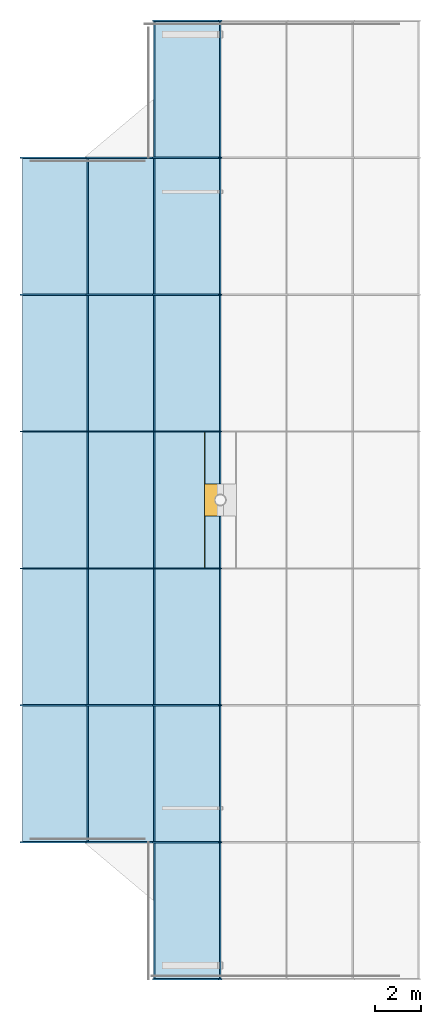
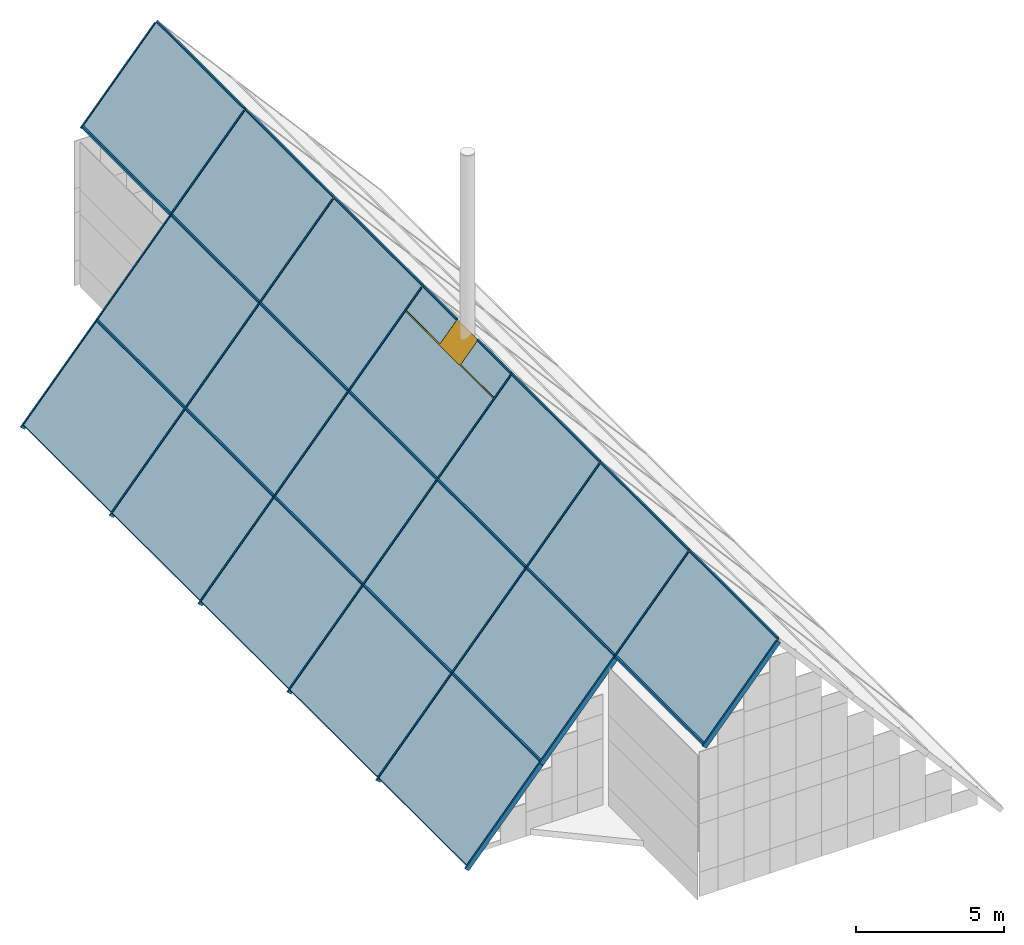
# One storey, part 2 of 5: 40 members, 19 plates, 1 curtain wall.
"""IFC4 building model written with IfcOpenShell, lengths in metres."""

from ifc_helpers import new_model, si_unit, direction, frame, origin, origin_2d, place, context, subcontext, project, spatial, polyline, hollow_rectangle, outline, extrude, source, transform, mapped, material, layer, layer_set, material_profile, profile_set, type_object, element, aggregate, save


model = new_model("IFC4")

# Units and contexts
model_context = context("Model", 3, precision=1e-05, world=origin(), true_north=direction((0.0, 1.0)))
body_context = subcontext(model_context, "Body", "Model", "MODEL_VIEW")
ifc_project = project(units=[si_unit("LENGTHUNIT", "METRE"), si_unit("AREAUNIT", "SQUARE_METRE"), si_unit("VOLUMEUNIT", "CUBIC_METRE"), si_unit("PLANEANGLEUNIT", "RADIAN"), si_unit("MASSUNIT", "GRAM", prefix="KILO")], contexts=[model_context])

# Member
ifc_material_1 = material(Name="Aluminium", Category="aluminium")
ifc_material_profile_1 = material_profile(ifc_material_1, hollow_rectangle(XDim=0.06005859375, YDim=0.1201171875, WallThickness=0.0048828125, at=origin_2d()), Name="Crown roof glazing purlin CR-CW-T")
ifc_profile_set_1 = profile_set([ifc_material_profile_1], Name="Aluminium")
member_type_1 = type_object("IfcMemberType", Name="Crown roof glazing purlin CR-CW-T", PredefinedType="USERDEFINED", material=ifc_profile_set_1)
shared_shape_1 = source(origin(), body_context, "Body", "SweptSolid", [
    extrude(hollow_rectangle(XDim=0.06005859375, YDim=0.1201171875, WallThickness=0.0048828125, at=origin_2d()), origin(), (0.0, 0.0, 1.0), 5.93994140625),
])
site_placement = place(None, origin())
building_placement = place(site_placement, origin())
storey_placement = place(building_placement, frame((0.0, 0.0, 357.199951171875)))
member_1_placement = place(storey_placement, frame((9.5, 12.030029296875, 2.985107421875), z_axis=(0.0, 1.0, 0.0), x_axis=(-1.0, 0.0, 0.0)))
member_1 = element("IfcMember", 1, at=member_1_placement, type_object=member_type_1, Name="Crown glazing purlin", ObjectType="TRANSOM", PredefinedType="USERDEFINED", context=body_context, shape_type="MappedRepresentation", body=[
    mapped(shared_shape_1, transform((0.0, 0.0, 0.0))),
])

member_2_placement = place(storey_placement, frame((9.5, 18.030029296875, 2.985107421875), z_axis=(0.0, 1.0, 0.0), x_axis=(-1.0, 0.0, 0.0)))
member_2 = element("IfcMember", 2, at=member_2_placement, type_object=member_type_1, Name="Crown glazing purlin", ObjectType="TRANSOM", PredefinedType="USERDEFINED", context=body_context, shape_type="MappedRepresentation", body=[
    mapped(shared_shape_1, transform((0.0, 0.0, 0.0))),
])

member_3_placement = place(storey_placement, frame((9.5, 24.030029296875, 2.985107421875), z_axis=(0.0, 1.0, 0.0), x_axis=(-1.0, 0.0, 0.0)))
member_3 = element("IfcMember", 3, at=member_3_placement, type_object=member_type_1, Name="Crown glazing purlin", ObjectType="TRANSOM", PredefinedType="USERDEFINED", context=body_context, shape_type="MappedRepresentation", body=[
    mapped(shared_shape_1, transform((0.0, 0.0, 0.0))),
])

member_4_placement = place(storey_placement, frame((9.5, 30.030029296875, 2.985107421875), z_axis=(0.0, 1.0, 0.0), x_axis=(-1.0, 0.0, 0.0)))
member_4 = element("IfcMember", 4, at=member_4_placement, type_object=member_type_1, Name="Crown glazing purlin", ObjectType="TRANSOM", PredefinedType="USERDEFINED", context=body_context, shape_type="MappedRepresentation", body=[
    mapped(shared_shape_1, transform((0.0, 0.0, 0.0))),
])

member_5_placement = place(storey_placement, frame((9.5, 36.030029296875, 2.985107421875), z_axis=(0.0, 1.0, 0.0), x_axis=(-1.0, 0.0, 0.0)))
member_5 = element("IfcMember", 5, at=member_5_placement, type_object=member_type_1, Name="Crown glazing purlin", ObjectType="TRANSOM", PredefinedType="USERDEFINED", context=body_context, shape_type="MappedRepresentation", body=[
    mapped(shared_shape_1, transform((0.0, 0.0, 0.0))),
])

member_6_placement = place(storey_placement, frame((12.39990234375, 6.030029296875, 6.318603515625), z_axis=(0.0, 1.0, 0.0), x_axis=(-1.0, 0.0, 0.0)))
member_6 = element("IfcMember", 6, at=member_6_placement, type_object=member_type_1, Name="Crown glazing purlin", ObjectType="TRANSOM", PredefinedType="USERDEFINED", context=body_context, shape_type="MappedRepresentation", body=[
    mapped(shared_shape_1, transform((0.0, 0.0, 0.0))),
])

member_7_placement = place(storey_placement, frame((12.39990234375, 12.030029296875, 6.318603515625), z_axis=(0.0, 1.0, 0.0), x_axis=(-1.0, 0.0, 0.0)))
member_7 = element("IfcMember", 7, at=member_7_placement, type_object=member_type_1, Name="Crown glazing purlin", ObjectType="TRANSOM", PredefinedType="USERDEFINED", context=body_context, shape_type="MappedRepresentation", body=[
    mapped(shared_shape_1, transform((0.0, 0.0, 0.0))),
])

member_8_placement = place(storey_placement, frame((12.39990234375, 18.030029296875, 6.318603515625), z_axis=(0.0, 1.0, 0.0), x_axis=(-1.0, 0.0, 0.0)))
member_8 = element("IfcMember", 8, at=member_8_placement, type_object=member_type_1, Name="Crown glazing purlin", ObjectType="TRANSOM", PredefinedType="USERDEFINED", context=body_context, shape_type="MappedRepresentation", body=[
    mapped(shared_shape_1, transform((0.0, 0.0, 0.0))),
])

member_9_placement = place(storey_placement, frame((12.39990234375, 24.030029296875, 6.318603515625), z_axis=(0.0, 1.0, 0.0), x_axis=(-1.0, 0.0, 0.0)))
member_9 = element("IfcMember", 9, at=member_9_placement, type_object=member_type_1, Name="Crown glazing purlin", ObjectType="TRANSOM", PredefinedType="USERDEFINED", context=body_context, shape_type="MappedRepresentation", body=[
    mapped(shared_shape_1, transform((0.0, 0.0, 0.0))),
])

member_10_placement = place(storey_placement, frame((12.39990234375, 30.030029296875, 6.318603515625), z_axis=(0.0, 1.0, 0.0), x_axis=(-1.0, 0.0, 0.0)))
member_10 = element("IfcMember", 10, at=member_10_placement, type_object=member_type_1, Name="Crown glazing purlin", ObjectType="TRANSOM", PredefinedType="USERDEFINED", context=body_context, shape_type="MappedRepresentation", body=[
    mapped(shared_shape_1, transform((0.0, 0.0, 0.0))),
])

member_11_placement = place(storey_placement, frame((12.39990234375, 36.030029296875, 6.318603515625), z_axis=(0.0, 1.0, 0.0), x_axis=(-1.0, 0.0, 0.0)))
member_11 = element("IfcMember", 11, at=member_11_placement, type_object=member_type_1, Name="Crown glazing purlin", ObjectType="TRANSOM", PredefinedType="USERDEFINED", context=body_context, shape_type="MappedRepresentation", body=[
    mapped(shared_shape_1, transform((0.0, 0.0, 0.0))),
])

member_12_placement = place(storey_placement, frame((12.39990234375, 42.030029296875, 6.318603515625), z_axis=(0.0, 1.0, 0.0), x_axis=(-1.0, 0.0, 0.0)))
member_12 = element("IfcMember", 12, at=member_12_placement, type_object=member_type_1, Name="Crown glazing purlin", ObjectType="TRANSOM", PredefinedType="USERDEFINED", context=body_context, shape_type="MappedRepresentation", body=[
    mapped(shared_shape_1, transform((0.0, 0.0, 0.0))),
])

member_13_placement = place(storey_placement, frame((15.300048828125, 6.030029296875, 9.65185546875), z_axis=(0.0, 1.0, 0.0), x_axis=(-1.0, 0.0, 0.0)))
member_13 = element("IfcMember", 13, at=member_13_placement, type_object=member_type_1, Name="Crown glazing purlin", ObjectType="TRANSOM", PredefinedType="USERDEFINED", context=body_context, shape_type="MappedRepresentation", body=[
    mapped(shared_shape_1, transform((0.0, 0.0, 0.0))),
])

member_14_placement = place(storey_placement, frame((15.300048828125, 12.030029296875, 9.65185546875), z_axis=(0.0, 1.0, 0.0), x_axis=(-1.0, 0.0, 0.0)))
member_14 = element("IfcMember", 14, at=member_14_placement, type_object=member_type_1, Name="Crown glazing purlin", ObjectType="TRANSOM", PredefinedType="USERDEFINED", context=body_context, shape_type="MappedRepresentation", body=[
    mapped(shared_shape_1, transform((0.0, 0.0, 0.0))),
])

member_15_placement = place(storey_placement, frame((15.300048828125, 18.030029296875, 9.65185546875), z_axis=(0.0, 1.0, 0.0), x_axis=(-1.0, 0.0, 0.0)))
member_15 = element("IfcMember", 15, at=member_15_placement, type_object=member_type_1, Name="Crown glazing purlin", ObjectType="TRANSOM", PredefinedType="USERDEFINED", context=body_context, shape_type="MappedRepresentation", body=[
    mapped(shared_shape_1, transform((0.0, 0.0, 0.0))),
])

member_16_placement = place(storey_placement, frame((15.300048828125, 30.030029296875, 9.65185546875), z_axis=(0.0, 1.0, 0.0), x_axis=(-1.0, 0.0, 0.0)))
member_16 = element("IfcMember", 16, at=member_16_placement, type_object=member_type_1, Name="Crown glazing purlin", ObjectType="TRANSOM", PredefinedType="USERDEFINED", context=body_context, shape_type="MappedRepresentation", body=[
    mapped(shared_shape_1, transform((0.0, 0.0, 0.0))),
])

member_17_placement = place(storey_placement, frame((15.300048828125, 36.030029296875, 9.65185546875), z_axis=(0.0, 1.0, 0.0), x_axis=(-1.0, 0.0, 0.0)))
member_17 = element("IfcMember", 17, at=member_17_placement, type_object=member_type_1, Name="Crown glazing purlin", ObjectType="TRANSOM", PredefinedType="USERDEFINED", context=body_context, shape_type="MappedRepresentation", body=[
    mapped(shared_shape_1, transform((0.0, 0.0, 0.0))),
])

member_18_placement = place(storey_placement, frame((15.300048828125, 42.030029296875, 9.65185546875), z_axis=(0.0, 1.0, 0.0), x_axis=(-1.0, 0.0, 0.0)))
member_18 = element("IfcMember", 18, at=member_18_placement, type_object=member_type_1, Name="Crown glazing purlin", ObjectType="TRANSOM", PredefinedType="USERDEFINED", context=body_context, shape_type="MappedRepresentation", body=[
    mapped(shared_shape_1, transform((0.0, 0.0, 0.0))),
])

ifc_material_2 = material(Name="Aluminium", Category="aluminium")
ifc_material_profile_2 = material_profile(ifc_material_2, hollow_rectangle(XDim=0.06005859375, YDim=0.199951171875, WallThickness=0.0048828125, at=origin_2d()), Name="Crown roof glazing rafter CR-CW-M")
ifc_profile_set_2 = profile_set([ifc_material_profile_2], Name="Aluminium")
member_type_2 = type_object("IfcMemberType", Name="Crown roof glazing rafter CR-CW-M", PredefinedType="MULLION", material=ifc_profile_set_2)
shared_shape_2 = source(origin(), body_context, "Body", "SweptSolid", [
    extrude(hollow_rectangle(XDim=0.06005859375, YDim=0.199951171875, WallThickness=0.0048828125, at=origin_2d()), origin(), (0.0, 0.0, 1.0), 4.418212890625),
])
member_19_placement = place(storey_placement, frame((6.60009765625, 12.0, -0.4404296875), z_axis=(0.656362018597, 0.0, 0.75444608856), x_axis=(0.0, 1.0, 0.0)))
member_19 = element("IfcMember", 19, at=member_19_placement, type_object=member_type_2, Name="Crown glazing rafter", PredefinedType="MULLION", context=body_context, shape_type="MappedRepresentation", body=[
    mapped(shared_shape_2, transform((0.0, 0.0, 0.0))),
])

member_20_placement = place(storey_placement, frame((6.60009765625, 18.0, -0.4404296875), z_axis=(0.656362018597, 0.0, 0.75444608856), x_axis=(0.0, 1.0, 0.0)))
member_20 = element("IfcMember", 20, at=member_20_placement, type_object=member_type_2, Name="Crown glazing rafter", PredefinedType="MULLION", context=body_context, shape_type="MappedRepresentation", body=[
    mapped(shared_shape_2, transform((0.0, 0.0, 0.0))),
])

member_21_placement = place(storey_placement, frame((6.60009765625, 24.0, -0.4404296875), z_axis=(0.656362018597, 0.0, 0.75444608856), x_axis=(0.0, 1.0, 0.0)))
member_21 = element("IfcMember", 21, at=member_21_placement, type_object=member_type_2, Name="Crown glazing rafter", PredefinedType="MULLION", context=body_context, shape_type="MappedRepresentation", body=[
    mapped(shared_shape_2, transform((0.0, 0.0, 0.0))),
])

member_22_placement = place(storey_placement, frame((6.60009765625, 30.0, -0.4404296875), z_axis=(0.656362018597, 0.0, 0.75444608856), x_axis=(0.0, 1.0, 0.0)))
member_22 = element("IfcMember", 22, at=member_22_placement, type_object=member_type_2, Name="Crown glazing rafter", PredefinedType="MULLION", context=body_context, shape_type="MappedRepresentation", body=[
    mapped(shared_shape_2, transform((0.0, 0.0, 0.0))),
])

member_23_placement = place(storey_placement, frame((6.60009765625, 36.0, -0.4404296875), z_axis=(0.656362018597, 0.0, 0.75444608856), x_axis=(0.0, 1.0, 0.0)))
member_23 = element("IfcMember", 23, at=member_23_placement, type_object=member_type_2, Name="Crown glazing rafter", PredefinedType="MULLION", context=body_context, shape_type="MappedRepresentation", body=[
    mapped(shared_shape_2, transform((0.0, 0.0, 0.0))),
])

member_24_placement = place(storey_placement, frame((6.60009765625, 42.0, -0.4404296875), z_axis=(0.656362018597, 0.0, 0.75444608856), x_axis=(0.0, 1.0, 0.0)))
member_24 = element("IfcMember", 24, at=member_24_placement, type_object=member_type_2, Name="Crown glazing rafter", PredefinedType="MULLION", context=body_context, shape_type="MappedRepresentation", body=[
    mapped(shared_shape_2, transform((0.0, 0.0, 0.0))),
])

member_25_placement = place(storey_placement, frame((9.5, 12.0, 2.892822265625), z_axis=(0.656362018597, 0.0, 0.75444608856), x_axis=(0.0, 1.0, 0.0)))
member_25 = element("IfcMember", 25, at=member_25_placement, type_object=member_type_2, Name="Crown glazing rafter", PredefinedType="MULLION", context=body_context, shape_type="MappedRepresentation", body=[
    mapped(shared_shape_2, transform((0.0, 0.0, 0.0))),
])

member_26_placement = place(storey_placement, frame((9.5, 18.0, 2.892822265625), z_axis=(0.656362018597, 0.0, 0.75444608856), x_axis=(0.0, 1.0, 0.0)))
member_26 = element("IfcMember", 26, at=member_26_placement, type_object=member_type_2, Name="Crown glazing rafter", PredefinedType="MULLION", context=body_context, shape_type="MappedRepresentation", body=[
    mapped(shared_shape_2, transform((0.0, 0.0, 0.0))),
])

member_27_placement = place(storey_placement, frame((9.5, 24.0, 2.892822265625), z_axis=(0.656362018597, 0.0, 0.75444608856), x_axis=(0.0, 1.0, 0.0)))
member_27 = element("IfcMember", 27, at=member_27_placement, type_object=member_type_2, Name="Crown glazing rafter", PredefinedType="MULLION", context=body_context, shape_type="MappedRepresentation", body=[
    mapped(shared_shape_2, transform((0.0, 0.0, 0.0))),
])

member_28_placement = place(storey_placement, frame((9.5, 30.0, 2.892822265625), z_axis=(0.656362018597, 0.0, 0.75444608856), x_axis=(0.0, 1.0, 0.0)))
member_28 = element("IfcMember", 28, at=member_28_placement, type_object=member_type_2, Name="Crown glazing rafter", PredefinedType="MULLION", context=body_context, shape_type="MappedRepresentation", body=[
    mapped(shared_shape_2, transform((0.0, 0.0, 0.0))),
])

member_29_placement = place(storey_placement, frame((9.5, 36.0, 2.892822265625), z_axis=(0.656362018597, 0.0, 0.75444608856), x_axis=(0.0, 1.0, 0.0)))
member_29 = element("IfcMember", 29, at=member_29_placement, type_object=member_type_2, Name="Crown glazing rafter", PredefinedType="MULLION", context=body_context, shape_type="MappedRepresentation", body=[
    mapped(shared_shape_2, transform((0.0, 0.0, 0.0))),
])

member_30_placement = place(storey_placement, frame((9.5, 42.0, 2.892822265625), z_axis=(0.656362018597, 0.0, 0.75444608856), x_axis=(0.0, 1.0, 0.0)))
member_30 = element("IfcMember", 30, at=member_30_placement, type_object=member_type_2, Name="Crown glazing rafter", PredefinedType="MULLION", context=body_context, shape_type="MappedRepresentation", body=[
    mapped(shared_shape_2, transform((0.0, 0.0, 0.0))),
])

shared_shape_3 = source(origin(), body_context, "Body", "SweptSolid", [
    extrude(hollow_rectangle(XDim=0.06005859375, YDim=0.199951171875, WallThickness=0.0048828125, at=origin_2d()), origin(), (0.0, 0.0, 1.0), 4.41845703125),
])
member_31_placement = place(storey_placement, frame((12.39990234375, 6.0, 6.22607421875), z_axis=(0.65636610736, 0.0, 0.754442531349), x_axis=(0.0, 1.0, 0.0)))
member_31 = element("IfcMember", 31, at=member_31_placement, type_object=member_type_2, Name="Crown glazing rafter", PredefinedType="MULLION", context=body_context, shape_type="MappedRepresentation", body=[
    mapped(shared_shape_3, transform((0.0, 0.0, 0.0))),
])

member_32_placement = place(storey_placement, frame((12.39990234375, 12.0, 6.22607421875), z_axis=(0.65636610736, 0.0, 0.754442531349), x_axis=(0.0, 1.0, 0.0)))
member_32 = element("IfcMember", 32, at=member_32_placement, type_object=member_type_2, Name="Crown glazing rafter", PredefinedType="MULLION", context=body_context, shape_type="MappedRepresentation", body=[
    mapped(shared_shape_3, transform((0.0, 0.0, 0.0))),
])

member_33_placement = place(storey_placement, frame((12.39990234375, 18.0, 6.22607421875), z_axis=(0.65636610736, 0.0, 0.754442531349), x_axis=(0.0, 1.0, 0.0)))
member_33 = element("IfcMember", 33, at=member_33_placement, type_object=member_type_2, Name="Crown glazing rafter", PredefinedType="MULLION", context=body_context, shape_type="MappedRepresentation", body=[
    mapped(shared_shape_3, transform((0.0, 0.0, 0.0))),
])

member_34_placement = place(storey_placement, frame((12.39990234375, 24.0, 6.22607421875), z_axis=(0.65636610736, 0.0, 0.754442531349), x_axis=(0.0, 1.0, 0.0)))
member_34 = element("IfcMember", 34, at=member_34_placement, type_object=member_type_2, Name="Crown glazing rafter", PredefinedType="MULLION", context=body_context, shape_type="MappedRepresentation", body=[
    mapped(shared_shape_3, transform((0.0, 0.0, 0.0))),
])

member_35_placement = place(storey_placement, frame((12.39990234375, 30.0, 6.22607421875), z_axis=(0.65636610736, 0.0, 0.754442531349), x_axis=(0.0, 1.0, 0.0)))
member_35 = element("IfcMember", 35, at=member_35_placement, type_object=member_type_2, Name="Crown glazing rafter", PredefinedType="MULLION", context=body_context, shape_type="MappedRepresentation", body=[
    mapped(shared_shape_3, transform((0.0, 0.0, 0.0))),
])

member_36_placement = place(storey_placement, frame((12.39990234375, 36.0, 6.22607421875), z_axis=(0.65636610736, 0.0, 0.754442531349), x_axis=(0.0, 1.0, 0.0)))
member_36 = element("IfcMember", 36, at=member_36_placement, type_object=member_type_2, Name="Crown glazing rafter", PredefinedType="MULLION", context=body_context, shape_type="MappedRepresentation", body=[
    mapped(shared_shape_3, transform((0.0, 0.0, 0.0))),
])

member_37_placement = place(storey_placement, frame((12.39990234375, 42.0, 6.22607421875), z_axis=(0.65636610736, 0.0, 0.754442531349), x_axis=(0.0, 1.0, 0.0)))
member_37 = element("IfcMember", 37, at=member_37_placement, type_object=member_type_2, Name="Crown glazing rafter", PredefinedType="MULLION", context=body_context, shape_type="MappedRepresentation", body=[
    mapped(shared_shape_3, transform((0.0, 0.0, 0.0))),
])

member_38_placement = place(storey_placement, frame((12.39990234375, 48.0, 6.22607421875), z_axis=(0.65636610736, 0.0, 0.754442531349), x_axis=(0.0, 1.0, 0.0)))
member_38 = element("IfcMember", 38, at=member_38_placement, type_object=member_type_2, Name="Crown glazing rafter", PredefinedType="MULLION", context=body_context, shape_type="MappedRepresentation", body=[
    mapped(shared_shape_3, transform((0.0, 0.0, 0.0))),
])

shared_shape_4 = source(origin(), body_context, "Body", "SweptSolid", [
    extrude(hollow_rectangle(XDim=0.06005859375, YDim=0.1201171875, WallThickness=0.0048828125, at=origin_2d()), origin(), (0.0, 0.0, 1.0), 2.27001953125),
])
member_39_placement = place(storey_placement, frame((15.300048828125, 24.030029296875, 9.65185546875), z_axis=(0.0, 1.0, 0.0), x_axis=(-1.0, 0.0, 0.0)))
member_39 = element("IfcMember", 39, at=member_39_placement, type_object=member_type_1, Name="Crown glazing purlin", ObjectType="TRANSOM", PredefinedType="USERDEFINED", context=body_context, shape_type="MappedRepresentation", body=[
    mapped(shared_shape_4, transform((0.0, 0.0, 0.0))),
])

member_40_placement = place(storey_placement, frame((15.300048828125, 27.699951171875, 9.65185546875), z_axis=(0.0, 1.0, 0.0), x_axis=(-1.0, 0.0, 0.0)))
member_40 = element("IfcMember", 40, at=member_40_placement, type_object=member_type_1, Name="Crown glazing purlin", ObjectType="TRANSOM", PredefinedType="USERDEFINED", context=body_context, shape_type="MappedRepresentation", body=[
    mapped(shared_shape_4, transform((0.0, 0.0, 0.0))),
])

# Plate
ifc_material_3 = material(Name="Laminated heat-strengthened glass", Category="glass")
ifc_layer = layer(ifc_material_3, 0.031982421875)
ifc_layer_set = layer_set([ifc_layer], Name="Laminated heat-strengthened glass")
plate_type = type_object("IfcPlateType", Name="Crown roof glazing panel CR-CW-P", PredefinedType="CURTAIN_PANEL", material=ifc_layer_set)
plate_1_placement = place(storey_placement, frame((6.6298828125, 12.030029296875, -0.295654296875), z_axis=(0.0, 0.0, 1.0), x_axis=(1.0, 0.0, 0.0)))
plate_1 = element("IfcPlate", 41, at=plate_1_placement, type_object=plate_type, Name="Crown roof glazing panel", PredefinedType="CURTAIN_PANEL", context=body_context, shape_type="SweptSolid", body=[
    extrude(outline(polyline([(0.0, 0.0), (2.840087890625, 3.264404296875), (2.840087890625, 3.215576171875), (0.0, -0.048828125), (0.0, 0.0)])), frame((0.0, 5.93994140625, 0.0), z_axis=(0.0, -1.0, 0.0), x_axis=(1.0, 0.0, 0.0)), (0.0, 0.0, 1.0), 5.93994140625),
])

plate_2_placement = place(storey_placement, frame((6.6298828125, 18.030029296875, -0.295654296875), z_axis=(0.0, 0.0, 1.0), x_axis=(1.0, 0.0, 0.0)))
plate_2 = element("IfcPlate", 42, at=plate_2_placement, type_object=plate_type, Name="Crown roof glazing panel", PredefinedType="CURTAIN_PANEL", context=body_context, shape_type="SweptSolid", body=[
    extrude(outline(polyline([(0.0, 0.0), (2.840087890625, 3.264404296875), (2.840087890625, 3.215576171875), (0.0, -0.048828125), (0.0, 0.0)])), frame((0.0, 5.93994140625, 0.0), z_axis=(0.0, -1.0, 0.0), x_axis=(1.0, 0.0, 0.0)), (0.0, 0.0, 1.0), 5.93994140625),
])

plate_3_placement = place(storey_placement, frame((6.6298828125, 24.030029296875, -0.295654296875), z_axis=(0.0, 0.0, 1.0), x_axis=(1.0, 0.0, 0.0)))
plate_3 = element("IfcPlate", 43, at=plate_3_placement, type_object=plate_type, Name="Crown roof glazing panel", PredefinedType="CURTAIN_PANEL", context=body_context, shape_type="SweptSolid", body=[
    extrude(outline(polyline([(0.0, 0.0), (2.840087890625, 3.264404296875), (2.840087890625, 3.215576171875), (0.0, -0.048828125), (0.0, 0.0)])), frame((0.0, 5.93994140625, 0.0), z_axis=(0.0, -1.0, 0.0), x_axis=(1.0, 0.0, 0.0)), (0.0, 0.0, 1.0), 5.93994140625),
])

plate_4_placement = place(storey_placement, frame((6.6298828125, 30.030029296875, -0.295654296875), z_axis=(0.0, 0.0, 1.0), x_axis=(1.0, 0.0, 0.0)))
plate_4 = element("IfcPlate", 44, at=plate_4_placement, type_object=plate_type, Name="Crown roof glazing panel", PredefinedType="CURTAIN_PANEL", context=body_context, shape_type="SweptSolid", body=[
    extrude(outline(polyline([(0.0, 0.0), (2.840087890625, 3.264404296875), (2.840087890625, 3.215576171875), (0.0, -0.048828125), (0.0, 0.0)])), frame((0.0, 5.93994140625, 0.0), z_axis=(0.0, -1.0, 0.0), x_axis=(1.0, 0.0, 0.0)), (0.0, 0.0, 1.0), 5.93994140625),
])

plate_5_placement = place(storey_placement, frame((6.6298828125, 36.030029296875, -0.295654296875), z_axis=(0.0, 0.0, 1.0), x_axis=(1.0, 0.0, 0.0)))
plate_5 = element("IfcPlate", 45, at=plate_5_placement, type_object=plate_type, Name="Crown roof glazing panel", PredefinedType="CURTAIN_PANEL", context=body_context, shape_type="SweptSolid", body=[
    extrude(outline(polyline([(0.0, 0.0), (2.840087890625, 3.264404296875), (2.840087890625, 3.215576171875), (0.0, -0.048828125), (0.0, 0.0)])), frame((0.0, 5.93994140625, 0.0), z_axis=(0.0, -1.0, 0.0), x_axis=(1.0, 0.0, 0.0)), (0.0, 0.0, 1.0), 5.93994140625),
])

plate_6_placement = place(storey_placement, frame((9.530029296875, 12.030029296875, 3.03759765625), z_axis=(0.0, 0.0, 1.0), x_axis=(1.0, 0.0, 0.0)))
plate_6 = element("IfcPlate", 46, at=plate_6_placement, type_object=plate_type, Name="Crown roof glazing panel", PredefinedType="CURTAIN_PANEL", context=body_context, shape_type="SweptSolid", body=[
    extrude(outline(polyline([(0.0, 0.0), (2.840087890625, 3.264404296875), (2.840087890625, 3.215576171875), (0.0, -0.048828125), (0.0, 0.0)])), frame((0.0, 5.93994140625, 0.0), z_axis=(0.0, -1.0, 0.0), x_axis=(1.0, 0.0, 0.0)), (0.0, 0.0, 1.0), 5.93994140625),
])

plate_7_placement = place(storey_placement, frame((9.530029296875, 18.030029296875, 3.03759765625), z_axis=(0.0, 0.0, 1.0), x_axis=(1.0, 0.0, 0.0)))
plate_7 = element("IfcPlate", 47, at=plate_7_placement, type_object=plate_type, Name="Crown roof glazing panel", PredefinedType="CURTAIN_PANEL", context=body_context, shape_type="SweptSolid", body=[
    extrude(outline(polyline([(0.0, 0.0), (2.840087890625, 3.264404296875), (2.840087890625, 3.215576171875), (0.0, -0.048828125), (0.0, 0.0)])), frame((0.0, 5.93994140625, 0.0), z_axis=(0.0, -1.0, 0.0), x_axis=(1.0, 0.0, 0.0)), (0.0, 0.0, 1.0), 5.93994140625),
])

plate_8_placement = place(storey_placement, frame((9.530029296875, 24.030029296875, 3.03759765625), z_axis=(0.0, 0.0, 1.0), x_axis=(1.0, 0.0, 0.0)))
plate_8 = element("IfcPlate", 48, at=plate_8_placement, type_object=plate_type, Name="Crown roof glazing panel", PredefinedType="CURTAIN_PANEL", context=body_context, shape_type="SweptSolid", body=[
    extrude(outline(polyline([(0.0, 0.0), (2.840087890625, 3.264404296875), (2.840087890625, 3.215576171875), (0.0, -0.048828125), (0.0, 0.0)])), frame((0.0, 5.93994140625, 0.0), z_axis=(0.0, -1.0, 0.0), x_axis=(1.0, 0.0, 0.0)), (0.0, 0.0, 1.0), 5.93994140625),
])

plate_9_placement = place(storey_placement, frame((9.530029296875, 30.030029296875, 3.03759765625), z_axis=(0.0, 0.0, 1.0), x_axis=(1.0, 0.0, 0.0)))
plate_9 = element("IfcPlate", 49, at=plate_9_placement, type_object=plate_type, Name="Crown roof glazing panel", PredefinedType="CURTAIN_PANEL", context=body_context, shape_type="SweptSolid", body=[
    extrude(outline(polyline([(0.0, 0.0), (2.840087890625, 3.264404296875), (2.840087890625, 3.215576171875), (0.0, -0.048828125), (0.0, 0.0)])), frame((0.0, 5.93994140625, 0.0), z_axis=(0.0, -1.0, 0.0), x_axis=(1.0, 0.0, 0.0)), (0.0, 0.0, 1.0), 5.93994140625),
])

plate_10_placement = place(storey_placement, frame((9.530029296875, 36.030029296875, 3.03759765625), z_axis=(0.0, 0.0, 1.0), x_axis=(1.0, 0.0, 0.0)))
plate_10 = element("IfcPlate", 50, at=plate_10_placement, type_object=plate_type, Name="Crown roof glazing panel", PredefinedType="CURTAIN_PANEL", context=body_context, shape_type="SweptSolid", body=[
    extrude(outline(polyline([(0.0, 0.0), (2.840087890625, 3.264404296875), (2.840087890625, 3.215576171875), (0.0, -0.048828125), (0.0, 0.0)])), frame((0.0, 5.93994140625, 0.0), z_axis=(0.0, -1.0, 0.0), x_axis=(1.0, 0.0, 0.0)), (0.0, 0.0, 1.0), 5.93994140625),
])

plate_11_placement = place(storey_placement, frame((12.429931640625, 6.030029296875, 6.370849609375), z_axis=(0.0, 0.0, 1.0), x_axis=(1.0, 0.0, 0.0)))
plate_11 = element("IfcPlate", 51, at=plate_11_placement, type_object=plate_type, Name="Crown roof glazing panel", PredefinedType="CURTAIN_PANEL", context=body_context, shape_type="SweptSolid", body=[
    extrude(outline(polyline([(0.0, 0.0), (2.840087890625, 3.264404296875), (2.840087890625, 3.215576171875), (0.0, -0.048828125), (0.0, 0.0)])), frame((0.0, 5.93994140625, 0.0), z_axis=(0.0, -1.0, 0.0), x_axis=(1.0, 0.0, 0.0)), (0.0, 0.0, 1.0), 5.93994140625),
])

plate_12_placement = place(storey_placement, frame((12.429931640625, 12.030029296875, 6.370849609375), z_axis=(0.0, 0.0, 1.0), x_axis=(1.0, 0.0, 0.0)))
plate_12 = element("IfcPlate", 52, at=plate_12_placement, type_object=plate_type, Name="Crown roof glazing panel", PredefinedType="CURTAIN_PANEL", context=body_context, shape_type="SweptSolid", body=[
    extrude(outline(polyline([(0.0, 0.0), (2.840087890625, 3.264404296875), (2.840087890625, 3.215576171875), (0.0, -0.048828125), (0.0, 0.0)])), frame((0.0, 5.93994140625, 0.0), z_axis=(0.0, -1.0, 0.0), x_axis=(1.0, 0.0, 0.0)), (0.0, 0.0, 1.0), 5.93994140625),
])

plate_13_placement = place(storey_placement, frame((12.429931640625, 18.030029296875, 6.370849609375), z_axis=(0.0, 0.0, 1.0), x_axis=(1.0, 0.0, 0.0)))
plate_13 = element("IfcPlate", 53, at=plate_13_placement, type_object=plate_type, Name="Crown roof glazing panel", PredefinedType="CURTAIN_PANEL", context=body_context, shape_type="SweptSolid", body=[
    extrude(outline(polyline([(0.0, 0.0), (2.840087890625, 3.264404296875), (2.840087890625, 3.215576171875), (0.0, -0.048828125), (0.0, 0.0)])), frame((0.0, 5.93994140625, 0.0), z_axis=(0.0, -1.0, 0.0), x_axis=(1.0, 0.0, 0.0)), (0.0, 0.0, 1.0), 5.93994140625),
])

plate_14_placement = place(storey_placement, frame((12.429931640625, 24.030029296875, 6.370849609375), z_axis=(0.0, 0.0, 1.0), x_axis=(1.0, 0.0, 0.0)))
plate_14 = element("IfcPlate", 54, at=plate_14_placement, type_object=plate_type, Name="Crown roof glazing panel", PredefinedType="CURTAIN_PANEL", context=body_context, shape_type="SweptSolid", body=[
    extrude(outline(polyline([(0.0, 0.0), (2.170166015625, 2.494384765625), (2.170166015625, 2.445556640625), (0.0, -0.048828125), (0.0, 0.0)])), frame((0.0, 5.93994140625, 0.0), z_axis=(0.0, -1.0, 0.0), x_axis=(1.0, 0.0, 0.0)), (0.0, 0.0, 1.0), 5.93994140625),
])

plate_15_placement = place(storey_placement, frame((14.6298828125, 24.030029296875, 8.899658203125), z_axis=(0.0, 0.0, 1.0), x_axis=(1.0, 0.0, 0.0)))
plate_15 = element("IfcPlate", 55, at=plate_15_placement, type_object=plate_type, Name="Crown roof glazing panel", PredefinedType="CURTAIN_PANEL", context=body_context, shape_type="SweptSolid", body=[
    extrude(outline(polyline([(0.0, 0.0), (0.64013671875, 0.735595703125), (0.64013671875, 0.686767578125), (0.0, -0.048828125), (0.0, 0.0)])), frame((0.0, 2.27001953125, 0.0), z_axis=(0.0, -1.0, 0.0), x_axis=(1.0, 0.0, 0.0)), (0.0, 0.0, 1.0), 2.27001953125),
])

plate_16_placement = place(storey_placement, frame((14.6298828125, 27.699951171875, 8.899658203125), z_axis=(0.0, 0.0, 1.0), x_axis=(1.0, 0.0, 0.0)))
plate_16 = element("IfcPlate", 56, at=plate_16_placement, type_object=plate_type, Name="Crown roof glazing panel", PredefinedType="CURTAIN_PANEL", context=body_context, shape_type="SweptSolid", body=[
    extrude(outline(polyline([(0.0, 0.0), (0.64013671875, 0.735595703125), (0.64013671875, 0.686767578125), (0.0, -0.048828125), (0.0, 0.0)])), frame((0.0, 2.27001953125, 0.0), z_axis=(0.0, -1.0, 0.0), x_axis=(1.0, 0.0, 0.0)), (0.0, 0.0, 1.0), 2.27001953125),
])

plate_17_placement = place(storey_placement, frame((12.429931640625, 30.030029296875, 6.370849609375), z_axis=(0.0, 0.0, 1.0), x_axis=(1.0, 0.0, 0.0)))
plate_17 = element("IfcPlate", 57, at=plate_17_placement, type_object=plate_type, Name="Crown roof glazing panel", PredefinedType="CURTAIN_PANEL", context=body_context, shape_type="SweptSolid", body=[
    extrude(outline(polyline([(0.0, 0.0), (2.840087890625, 3.264404296875), (2.840087890625, 3.215576171875), (0.0, -0.048828125), (0.0, 0.0)])), frame((0.0, 5.93994140625, 0.0), z_axis=(0.0, -1.0, 0.0), x_axis=(1.0, 0.0, 0.0)), (0.0, 0.0, 1.0), 5.93994140625),
])

plate_18_placement = place(storey_placement, frame((12.429931640625, 36.030029296875, 6.370849609375), z_axis=(0.0, 0.0, 1.0), x_axis=(1.0, 0.0, 0.0)))
plate_18 = element("IfcPlate", 58, at=plate_18_placement, type_object=plate_type, Name="Crown roof glazing panel", PredefinedType="CURTAIN_PANEL", context=body_context, shape_type="SweptSolid", body=[
    extrude(outline(polyline([(0.0, 0.0), (2.840087890625, 3.264404296875), (2.840087890625, 3.215576171875), (0.0, -0.048828125), (0.0, 0.0)])), frame((0.0, 5.93994140625, 0.0), z_axis=(0.0, -1.0, 0.0), x_axis=(1.0, 0.0, 0.0)), (0.0, 0.0, 1.0), 5.93994140625),
])

plate_19_placement = place(storey_placement, frame((12.429931640625, 42.030029296875, 6.370849609375), z_axis=(0.0, 0.0, 1.0), x_axis=(1.0, 0.0, 0.0)))
plate_19 = element("IfcPlate", 59, at=plate_19_placement, type_object=plate_type, Name="Crown roof glazing panel", PredefinedType="CURTAIN_PANEL", context=body_context, shape_type="SweptSolid", body=[
    extrude(outline(polyline([(0.0, 0.0), (2.840087890625, 3.264404296875), (2.840087890625, 3.215576171875), (0.0, -0.048828125), (0.0, 0.0)])), frame((0.0, 5.93994140625, 0.0), z_axis=(0.0, -1.0, 0.0), x_axis=(1.0, 0.0, 0.0)), (0.0, 0.0, 1.0), 5.93994140625),
])

# Site, building, storey
site = spatial("IfcSite", under=ifc_project, at=site_placement, CompositionType="ELEMENT")
building = spatial("IfcBuilding", under=site, at=building_placement, Name="Khomas Fold Tower", CompositionType="ELEMENT")
storey = spatial("IfcBuildingStorey", under=building, at=storey_placement, Name="ROOF", CompositionType="ELEMENT", Elevation=357.199951171875)

# Curtain wall
ifc_material_4 = material(Name="Aluminium framed double glazing", Category="aluminium")
curtain_wall_type = type_object("IfcCurtainWallType", Name="Crown roof glazing CR-CW", PredefinedType="NOTDEFINED", material=ifc_material_4)
curtain_wall_placement = place(storey_placement, frame((9.5, 42.0, 2.998046875), z_axis=(-0.754439951112, 0.0, 0.656369073134), x_axis=(0.656369073134, 0.0, 0.754439951112)))
curtain_wall = element("IfcCurtainWall", 60, at=curtain_wall_placement, inside=storey, type_object=curtain_wall_type, Name="Crown roof glazing GW ROOF", PredefinedType="NOTDEFINED", context=body_context, shape_type="SweptSolid", body=[
    extrude(outline(polyline([(0.0, 0.0), (4.41832884354563, 0.0), (4.41832884354563, 6.0), (8.836633744005816, 6.0), (8.836633744005816, 0.0), (8.836633744005816, -6.0), (8.836633744005816, -12.0), (8.836633744005816, -18.0), (8.836633744005816, -24.0), (8.836633744005816, -30.0), (8.836633744005816, -36.0), (4.41832884354563, -36.0), (4.41832884354563, -30.0), (0.0, -30.0), (-3.9308326296465426, -30.0), (-3.9308326296465426, 0.0), (0.0, 0.0)])), origin(), (0.0, 0.0, -1.0), 0.031982421875),
])

aggregate(curtain_wall, [member_19, member_20, member_21, member_22, member_23, member_24, member_25, member_26, member_27, member_28, member_29, member_30, member_31, member_32, member_33, member_34, member_35, member_36, member_37, member_38, member_1, member_2, member_3, member_4, member_5, member_6, member_7, member_8, member_9, member_10, member_11, member_12, member_13, member_14, member_15, member_39, member_40, member_16, member_17, member_18, plate_1, plate_2, plate_3, plate_4, plate_5, plate_6, plate_7, plate_8, plate_9, plate_10, plate_11, plate_12, plate_13, plate_14, plate_15, plate_16, plate_17, plate_18, plate_19])

save(model, "model.ifc")
